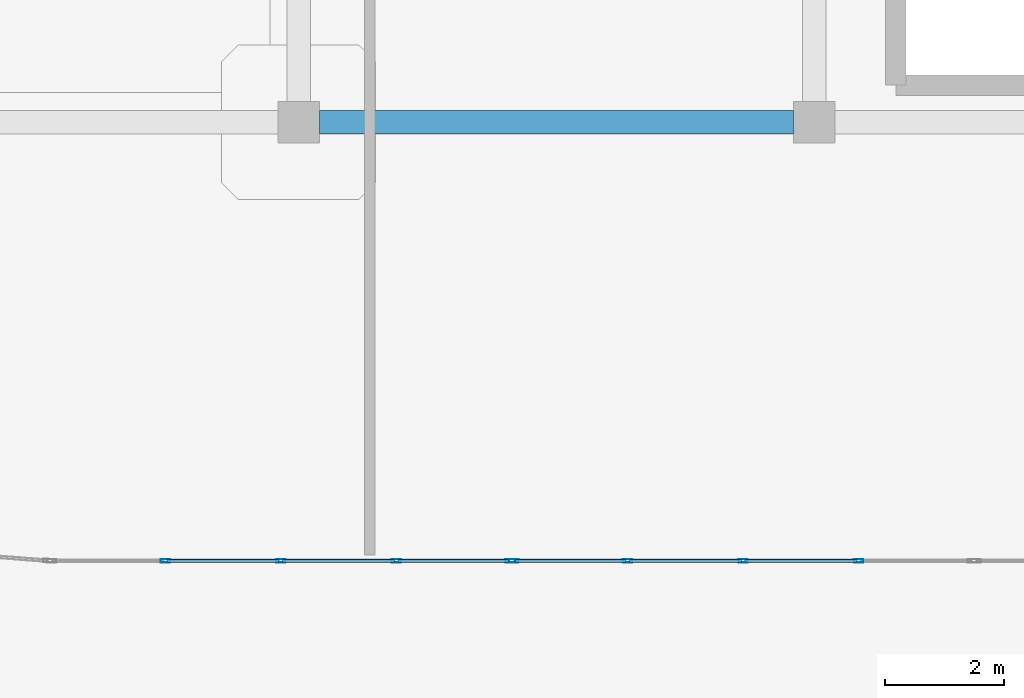
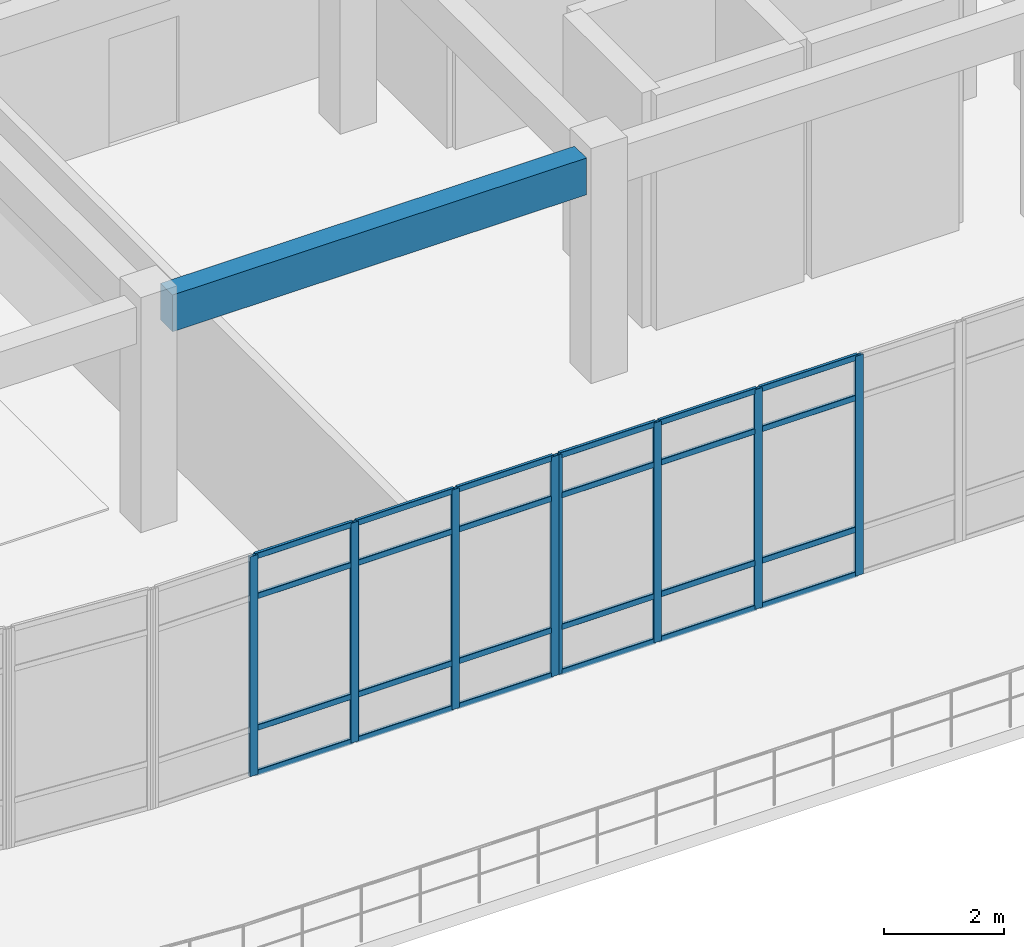
# One storey, part 11 of 64: 32 members, 1 beam, 2 elements without a shape of their own.
"""IFC4 building model written with IfcOpenShell, lengths in metres."""

from ifc_helpers import new_model, si_unit, derived_unit, direction, frame, origin, origin_2d, place, context, subcontext, project, spatial, rectangle, hollow_rectangle, extrude, material, layer, layer_set, material_profile, profile_set, type_object, element, aggregate, save


model = new_model("IFC4")

# Units and contexts
model_context = context("Model", 3, precision=1e-05, world=origin(), true_north=direction((0.0, 1.0)))
body_context = subcontext(model_context, "Body", "Model", "MODEL_VIEW")
ifc_project = project(units=[si_unit("LENGTHUNIT", "METRE"), si_unit("AREAUNIT", "SQUARE_METRE"), si_unit("VOLUMEUNIT", "CUBIC_METRE"), si_unit("PLANEANGLEUNIT", "RADIAN"), si_unit("MASSUNIT", "GRAM", prefix="KILO"), derived_unit("THERMALTRANSMITTANCEUNIT", [(si_unit("MASSUNIT", "GRAM", prefix="KILO"), 1), (si_unit("TIMEUNIT", "SECOND"), -3), (si_unit("THERMODYNAMICTEMPERATUREUNIT", "KELVIN"), -1)])], contexts=[model_context])

# Site, building, storey
site_placement = place(None, origin())
site = spatial("IfcSite", under=ifc_project, at=site_placement, CompositionType="ELEMENT")
building_placement = place(site_placement, origin())
building = spatial("IfcBuilding", under=site, at=building_placement, Name="Qinzheling Arcade Emporium", CompositionType="ELEMENT")
storey_placement = place(building_placement, frame((0.0, 0.0, 31.5)))
storey = spatial("IfcBuildingStorey", under=building, at=storey_placement, Name="L07", CompositionType="ELEMENT", Elevation=31.5)

# Curtain wall, members
ifc_material_1 = material(Name="Anodised aluminium and solar-control double glazing", Category="aluminium")
ifc_layer = layer(ifc_material_1, 0.159912109375, Name="Anodised aluminium and solar-control double glazing", Category="aluminium")
ifc_layer_set = layer_set([ifc_layer], Name="Anodised aluminium and solar-control double glazing")
curtain_wall_type = type_object("IfcCurtainWallType", Name="Arcade Portal Glazed Curtain Wall", PredefinedType="NOTDEFINED", material=ifc_layer_set)
curtain_wall_1_placement = place(storey_placement, origin())
curtain_wall_1 = element("IfcCurtainWall", 1, at=curtain_wall_1_placement, inside=storey, type_object=curtain_wall_type, Name="Curtain Wall CW-L07-399", PredefinedType="NOTDEFINED")
ifc_material_2 = material(Name="Anodised aluminium 6063-T6", Category="aluminium")
ifc_material_profile_1 = material_profile(ifc_material_2, hollow_rectangle(XDim=0.06005859375, YDim=0.159912109375, WallThickness=0.00390625, InnerFilletRadius=0.00390625, OuterFilletRadius=0.008056640625, at=origin_2d()), Name="RHS 160x60x4", Category="aluminium")
ifc_profile_set_1 = profile_set([ifc_material_profile_1], Name="Anodised aluminium 6063-T6")
member_type_1 = type_object("IfcMemberType", Name="Curtain Wall Mullion RHS160x60", PredefinedType="MULLION", material=ifc_profile_set_1)
member_1_placement = place(storey_placement, frame((44.2490234375, 17.800048828125, 0.0), z_axis=(0.0, 0.0, 1.0), x_axis=(0.0, -1.0, 0.0)))
member_1 = element("IfcMember", 2, at=member_1_placement, type_object=member_type_1, Name="CW05 mullion 2", PredefinedType="MULLION", context=body_context, shape_type="SweptSolid", body=[
    extrude(hollow_rectangle(XDim=0.06005859375, YDim=0.159912109375, WallThickness=0.00390625, InnerFilletRadius=0.00390625, OuterFilletRadius=0.008056640625, at=origin_2d()), origin(), (0.0, 0.0, 1.0), 4.489990234375),
])
member_2_placement = place(storey_placement, frame((42.300048828125, 17.800048828125, 0.0), z_axis=(0.0, 0.0, 1.0), x_axis=(0.0, -1.0, 0.0)))
member_2 = element("IfcMember", 3, at=member_2_placement, type_object=member_type_1, Name="CW05 mullion 3", PredefinedType="MULLION", context=body_context, shape_type="SweptSolid", body=[
    extrude(hollow_rectangle(XDim=0.06005859375, YDim=0.159912109375, WallThickness=0.00390625, InnerFilletRadius=0.00390625, OuterFilletRadius=0.008056640625, at=origin_2d()), origin(), (0.0, 0.0, 1.0), 4.489990234375),
])
member_3_placement = place(storey_placement, frame((40.35107421875, 17.800048828125, 0.0), z_axis=(0.0, 0.0, 1.0), x_axis=(0.0, -1.0, 0.0)))
member_3 = element("IfcMember", 4, at=member_3_placement, type_object=member_type_1, Name="CW05 mullion 4", PredefinedType="MULLION", context=body_context, shape_type="SweptSolid", body=[
    extrude(hollow_rectangle(XDim=0.06005859375, YDim=0.159912109375, WallThickness=0.00390625, InnerFilletRadius=0.00390625, OuterFilletRadius=0.008056640625, at=origin_2d()), origin(), (0.0, 0.0, 1.0), 4.489990234375),
])
member_4_placement = place(storey_placement, frame((38.431884765625, 17.800048828125, 0.0), z_axis=(0.0, 0.0, 1.0), x_axis=(0.0, -1.0, 0.0)))
member_4 = element("IfcMember", 5, at=member_4_placement, type_object=member_type_1, Name="CW05 mullion 5", PredefinedType="MULLION", context=body_context, shape_type="SweptSolid", body=[
    extrude(hollow_rectangle(XDim=0.06005859375, YDim=0.159912109375, WallThickness=0.00390625, InnerFilletRadius=0.00390625, OuterFilletRadius=0.008056640625, at=origin_2d()), origin(), (0.0, 0.0, 1.0), 4.489990234375),
])

curtain_wall_2_placement = place(storey_placement, origin())
curtain_wall_2 = element("IfcCurtainWall", 6, at=curtain_wall_2_placement, inside=storey, type_object=curtain_wall_type, Name="Curtain Wall CW-L07-400", PredefinedType="NOTDEFINED")
member_5_placement = place(storey_placement, frame((38.367919921875, 17.800048828125, 0.0), z_axis=(0.0, 0.0, 1.0), x_axis=(0.0, -1.0, 0.0)))
member_5 = element("IfcMember", 7, at=member_5_placement, type_object=member_type_1, Name="CW05 mullion 1", PredefinedType="MULLION", context=body_context, shape_type="SweptSolid", body=[
    extrude(hollow_rectangle(XDim=0.06005859375, YDim=0.159912109375, WallThickness=0.00390625, InnerFilletRadius=0.00390625, OuterFilletRadius=0.008056640625, at=origin_2d()), origin(), (0.0, 0.0, 1.0), 4.489990234375),
])
member_6_placement = place(storey_placement, frame((36.448486328125, 17.800048828125, 0.0), z_axis=(0.0, 0.0, 1.0), x_axis=(0.0, -1.0, 0.0)))
member_6 = element("IfcMember", 8, at=member_6_placement, type_object=member_type_1, Name="CW05 mullion 2", PredefinedType="MULLION", context=body_context, shape_type="SweptSolid", body=[
    extrude(hollow_rectangle(XDim=0.06005859375, YDim=0.159912109375, WallThickness=0.00390625, InnerFilletRadius=0.00390625, OuterFilletRadius=0.008056640625, at=origin_2d()), origin(), (0.0, 0.0, 1.0), 4.489990234375),
])
member_7_placement = place(storey_placement, frame((34.4990234375, 17.800048828125, 0.0), z_axis=(0.0, 0.0, 1.0), x_axis=(0.0, -1.0, 0.0)))
member_7 = element("IfcMember", 9, at=member_7_placement, type_object=member_type_1, Name="CW05 mullion 3", PredefinedType="MULLION", context=body_context, shape_type="SweptSolid", body=[
    extrude(hollow_rectangle(XDim=0.06005859375, YDim=0.159912109375, WallThickness=0.00390625, InnerFilletRadius=0.00390625, OuterFilletRadius=0.008056640625, at=origin_2d()), origin(), (0.0, 0.0, 1.0), 4.489990234375),
])
member_8_placement = place(storey_placement, frame((32.549560546875, 17.800048828125, 0.0), z_axis=(0.0, 0.0, 1.0), x_axis=(0.0, -1.0, 0.0)))
member_8 = element("IfcMember", 10, at=member_8_placement, type_object=member_type_1, Name="CW05 mullion 4", PredefinedType="MULLION", context=body_context, shape_type="SweptSolid", body=[
    extrude(hollow_rectangle(XDim=0.06005859375, YDim=0.159912109375, WallThickness=0.00390625, InnerFilletRadius=0.00390625, OuterFilletRadius=0.008056640625, at=origin_2d()), origin(), (0.0, 0.0, 1.0), 4.489990234375),
])

# Member
ifc_material_profile_2 = material_profile(ifc_material_2, hollow_rectangle(XDim=0.06005859375, YDim=0.1201171875, WallThickness=0.00390625, InnerFilletRadius=0.00390625, OuterFilletRadius=0.008056640625, at=origin_2d()), Name="RHS 120x60x4", Category="aluminium")
ifc_profile_set_2 = profile_set([ifc_material_profile_2], Name="Anodised aluminium 6063-T6")
member_type_2 = type_object("IfcMemberType", Name="Curtain Wall Transom RHS120x60", PredefinedType="USERDEFINED", material=ifc_profile_set_2)
member_9_placement = place(storey_placement, frame((44.218994140625, 17.800048828125, 0.030029296875), z_axis=(-1.0, 0.0, 0.0), x_axis=(0.0, -1.0, 0.0)))
member_9 = element("IfcMember", 11, at=member_9_placement, type_object=member_type_2, Name="CW05 transom 2.1", ObjectType="TRANSOM", PredefinedType="USERDEFINED", context=body_context, shape_type="SweptSolid", body=[
    extrude(hollow_rectangle(XDim=0.06005859375, YDim=0.1201171875, WallThickness=0.00390625, InnerFilletRadius=0.00390625, OuterFilletRadius=0.008056640625, at=origin_2d()), origin(), (0.0, 0.0, 1.0), 1.888916015625),
])

member_10_placement = place(storey_placement, frame((44.218994140625, 17.800048828125, 0.949951171875), z_axis=(-1.0, 0.0, 0.0), x_axis=(0.0, -1.0, 0.0)))
member_10 = element("IfcMember", 12, at=member_10_placement, type_object=member_type_2, Name="CW05 transom 2.2", ObjectType="TRANSOM", PredefinedType="USERDEFINED", context=body_context, shape_type="SweptSolid", body=[
    extrude(hollow_rectangle(XDim=0.06005859375, YDim=0.1201171875, WallThickness=0.00390625, InnerFilletRadius=0.00390625, OuterFilletRadius=0.008056640625, at=origin_2d()), origin(), (0.0, 0.0, 1.0), 1.888916015625),
])

member_11_placement = place(storey_placement, frame((44.218994140625, 17.800048828125, 3.639892578125), z_axis=(-1.0, 0.0, 0.0), x_axis=(0.0, -1.0, 0.0)))
member_11 = element("IfcMember", 13, at=member_11_placement, type_object=member_type_2, Name="CW05 transom 2.3", ObjectType="TRANSOM", PredefinedType="USERDEFINED", context=body_context, shape_type="SweptSolid", body=[
    extrude(hollow_rectangle(XDim=0.06005859375, YDim=0.1201171875, WallThickness=0.00390625, InnerFilletRadius=0.00390625, OuterFilletRadius=0.008056640625, at=origin_2d()), origin(), (0.0, 0.0, 1.0), 1.888916015625),
])

member_12_placement = place(storey_placement, frame((44.218994140625, 17.800048828125, 4.4599609375), z_axis=(-1.0, 0.0, 0.0), x_axis=(0.0, -1.0, 0.0)))
member_12 = element("IfcMember", 14, at=member_12_placement, type_object=member_type_2, Name="CW05 transom 2.4", ObjectType="TRANSOM", PredefinedType="USERDEFINED", context=body_context, shape_type="SweptSolid", body=[
    extrude(hollow_rectangle(XDim=0.06005859375, YDim=0.1201171875, WallThickness=0.00390625, InnerFilletRadius=0.00390625, OuterFilletRadius=0.008056640625, at=origin_2d()), origin(), (0.0, 0.0, 1.0), 1.888916015625),
])

member_13_placement = place(storey_placement, frame((42.27001953125, 17.800048828125, 0.030029296875), z_axis=(-1.0, 0.0, 0.0), x_axis=(0.0, -1.0, 0.0)))
member_13 = element("IfcMember", 15, at=member_13_placement, type_object=member_type_2, Name="CW05 transom 3.1", ObjectType="TRANSOM", PredefinedType="USERDEFINED", context=body_context, shape_type="SweptSolid", body=[
    extrude(hollow_rectangle(XDim=0.06005859375, YDim=0.1201171875, WallThickness=0.00390625, InnerFilletRadius=0.00390625, OuterFilletRadius=0.008056640625, at=origin_2d()), origin(), (0.0, 0.0, 1.0), 1.888916015625),
])

member_14_placement = place(storey_placement, frame((42.27001953125, 17.800048828125, 0.949951171875), z_axis=(-1.0, 0.0, 0.0), x_axis=(0.0, -1.0, 0.0)))
member_14 = element("IfcMember", 16, at=member_14_placement, type_object=member_type_2, Name="CW05 transom 3.2", ObjectType="TRANSOM", PredefinedType="USERDEFINED", context=body_context, shape_type="SweptSolid", body=[
    extrude(hollow_rectangle(XDim=0.06005859375, YDim=0.1201171875, WallThickness=0.00390625, InnerFilletRadius=0.00390625, OuterFilletRadius=0.008056640625, at=origin_2d()), origin(), (0.0, 0.0, 1.0), 1.888916015625),
])

member_15_placement = place(storey_placement, frame((42.27001953125, 17.800048828125, 3.639892578125), z_axis=(-1.0, 0.0, 0.0), x_axis=(0.0, -1.0, 0.0)))
member_15 = element("IfcMember", 17, at=member_15_placement, type_object=member_type_2, Name="CW05 transom 3.3", ObjectType="TRANSOM", PredefinedType="USERDEFINED", context=body_context, shape_type="SweptSolid", body=[
    extrude(hollow_rectangle(XDim=0.06005859375, YDim=0.1201171875, WallThickness=0.00390625, InnerFilletRadius=0.00390625, OuterFilletRadius=0.008056640625, at=origin_2d()), origin(), (0.0, 0.0, 1.0), 1.888916015625),
])

member_16_placement = place(storey_placement, frame((42.27001953125, 17.800048828125, 4.4599609375), z_axis=(-1.0, 0.0, 0.0), x_axis=(0.0, -1.0, 0.0)))
member_16 = element("IfcMember", 18, at=member_16_placement, type_object=member_type_2, Name="CW05 transom 3.4", ObjectType="TRANSOM", PredefinedType="USERDEFINED", context=body_context, shape_type="SweptSolid", body=[
    extrude(hollow_rectangle(XDim=0.06005859375, YDim=0.1201171875, WallThickness=0.00390625, InnerFilletRadius=0.00390625, OuterFilletRadius=0.008056640625, at=origin_2d()), origin(), (0.0, 0.0, 1.0), 1.888916015625),
])

member_17_placement = place(storey_placement, frame((40.321044921875, 17.800048828125, 0.030029296875), z_axis=(-1.0, 0.0, 0.0), x_axis=(0.0, -1.0, 0.0)))
member_17 = element("IfcMember", 19, at=member_17_placement, type_object=member_type_2, Name="CW05 transom 4.1", ObjectType="TRANSOM", PredefinedType="USERDEFINED", context=body_context, shape_type="SweptSolid", body=[
    extrude(hollow_rectangle(XDim=0.06005859375, YDim=0.1201171875, WallThickness=0.00390625, InnerFilletRadius=0.00390625, OuterFilletRadius=0.008056640625, at=origin_2d()), origin(), (0.0, 0.0, 1.0), 1.859130859375),
])

member_18_placement = place(storey_placement, frame((40.321044921875, 17.800048828125, 0.949951171875), z_axis=(-1.0, 0.0, 0.0), x_axis=(0.0, -1.0, 0.0)))
member_18 = element("IfcMember", 20, at=member_18_placement, type_object=member_type_2, Name="CW05 transom 4.2", ObjectType="TRANSOM", PredefinedType="USERDEFINED", context=body_context, shape_type="SweptSolid", body=[
    extrude(hollow_rectangle(XDim=0.06005859375, YDim=0.1201171875, WallThickness=0.00390625, InnerFilletRadius=0.00390625, OuterFilletRadius=0.008056640625, at=origin_2d()), origin(), (0.0, 0.0, 1.0), 1.859130859375),
])

member_19_placement = place(storey_placement, frame((40.321044921875, 17.800048828125, 3.639892578125), z_axis=(-1.0, 0.0, 0.0), x_axis=(0.0, -1.0, 0.0)))
member_19 = element("IfcMember", 21, at=member_19_placement, type_object=member_type_2, Name="CW05 transom 4.3", ObjectType="TRANSOM", PredefinedType="USERDEFINED", context=body_context, shape_type="SweptSolid", body=[
    extrude(hollow_rectangle(XDim=0.06005859375, YDim=0.1201171875, WallThickness=0.00390625, InnerFilletRadius=0.00390625, OuterFilletRadius=0.008056640625, at=origin_2d()), origin(), (0.0, 0.0, 1.0), 1.859130859375),
])

member_20_placement = place(storey_placement, frame((40.321044921875, 17.800048828125, 4.4599609375), z_axis=(-1.0, 0.0, 0.0), x_axis=(0.0, -1.0, 0.0)))
member_20 = element("IfcMember", 22, at=member_20_placement, type_object=member_type_2, Name="CW05 transom 4.4", ObjectType="TRANSOM", PredefinedType="USERDEFINED", context=body_context, shape_type="SweptSolid", body=[
    extrude(hollow_rectangle(XDim=0.06005859375, YDim=0.1201171875, WallThickness=0.00390625, InnerFilletRadius=0.00390625, OuterFilletRadius=0.008056640625, at=origin_2d()), origin(), (0.0, 0.0, 1.0), 1.859130859375),
])

aggregate(curtain_wall_1, [member_1, member_2, member_3, member_4, member_9, member_10, member_11, member_12, member_13, member_14, member_15, member_16, member_17, member_18, member_19, member_20])

member_21_placement = place(storey_placement, frame((38.337890625, 17.800048828125, 0.030029296875), z_axis=(-1.0, 0.0, 0.0), x_axis=(0.0, -1.0, 0.0)))
member_21 = element("IfcMember", 23, at=member_21_placement, type_object=member_type_2, Name="CW05 transom 1.1", ObjectType="TRANSOM", PredefinedType="USERDEFINED", context=body_context, shape_type="SweptSolid", body=[
    extrude(hollow_rectangle(XDim=0.06005859375, YDim=0.1201171875, WallThickness=0.00390625, InnerFilletRadius=0.00390625, OuterFilletRadius=0.008056640625, at=origin_2d()), origin(), (0.0, 0.0, 1.0), 1.859375),
])

member_22_placement = place(storey_placement, frame((38.337890625, 17.800048828125, 0.949951171875), z_axis=(-1.0, 0.0, 0.0), x_axis=(0.0, -1.0, 0.0)))
member_22 = element("IfcMember", 24, at=member_22_placement, type_object=member_type_2, Name="CW05 transom 1.2", ObjectType="TRANSOM", PredefinedType="USERDEFINED", context=body_context, shape_type="SweptSolid", body=[
    extrude(hollow_rectangle(XDim=0.06005859375, YDim=0.1201171875, WallThickness=0.00390625, InnerFilletRadius=0.00390625, OuterFilletRadius=0.008056640625, at=origin_2d()), origin(), (0.0, 0.0, 1.0), 1.859375),
])

member_23_placement = place(storey_placement, frame((38.337890625, 17.800048828125, 3.639892578125), z_axis=(-1.0, 0.0, 0.0), x_axis=(0.0, -1.0, 0.0)))
member_23 = element("IfcMember", 25, at=member_23_placement, type_object=member_type_2, Name="CW05 transom 1.3", ObjectType="TRANSOM", PredefinedType="USERDEFINED", context=body_context, shape_type="SweptSolid", body=[
    extrude(hollow_rectangle(XDim=0.06005859375, YDim=0.1201171875, WallThickness=0.00390625, InnerFilletRadius=0.00390625, OuterFilletRadius=0.008056640625, at=origin_2d()), origin(), (0.0, 0.0, 1.0), 1.859375),
])

member_24_placement = place(storey_placement, frame((38.337890625, 17.800048828125, 4.4599609375), z_axis=(-1.0, 0.0, 0.0), x_axis=(0.0, -1.0, 0.0)))
member_24 = element("IfcMember", 26, at=member_24_placement, type_object=member_type_2, Name="CW05 transom 1.4", ObjectType="TRANSOM", PredefinedType="USERDEFINED", context=body_context, shape_type="SweptSolid", body=[
    extrude(hollow_rectangle(XDim=0.06005859375, YDim=0.1201171875, WallThickness=0.00390625, InnerFilletRadius=0.00390625, OuterFilletRadius=0.008056640625, at=origin_2d()), origin(), (0.0, 0.0, 1.0), 1.859375),
])

member_25_placement = place(storey_placement, frame((36.41845703125, 17.800048828125, 0.030029296875), z_axis=(-1.0, 0.0, 0.0), x_axis=(0.0, -1.0, 0.0)))
member_25 = element("IfcMember", 27, at=member_25_placement, type_object=member_type_2, Name="CW05 transom 2.1", ObjectType="TRANSOM", PredefinedType="USERDEFINED", context=body_context, shape_type="SweptSolid", body=[
    extrude(hollow_rectangle(XDim=0.06005859375, YDim=0.1201171875, WallThickness=0.00390625, InnerFilletRadius=0.00390625, OuterFilletRadius=0.008056640625, at=origin_2d()), origin(), (0.0, 0.0, 1.0), 1.889404296875),
])

member_26_placement = place(storey_placement, frame((36.41845703125, 17.800048828125, 0.949951171875), z_axis=(-1.0, 0.0, 0.0), x_axis=(0.0, -1.0, 0.0)))
member_26 = element("IfcMember", 28, at=member_26_placement, type_object=member_type_2, Name="CW05 transom 2.2", ObjectType="TRANSOM", PredefinedType="USERDEFINED", context=body_context, shape_type="SweptSolid", body=[
    extrude(hollow_rectangle(XDim=0.06005859375, YDim=0.1201171875, WallThickness=0.00390625, InnerFilletRadius=0.00390625, OuterFilletRadius=0.008056640625, at=origin_2d()), origin(), (0.0, 0.0, 1.0), 1.889404296875),
])

member_27_placement = place(storey_placement, frame((36.41845703125, 17.800048828125, 3.639892578125), z_axis=(-1.0, 0.0, 0.0), x_axis=(0.0, -1.0, 0.0)))
member_27 = element("IfcMember", 29, at=member_27_placement, type_object=member_type_2, Name="CW05 transom 2.3", ObjectType="TRANSOM", PredefinedType="USERDEFINED", context=body_context, shape_type="SweptSolid", body=[
    extrude(hollow_rectangle(XDim=0.06005859375, YDim=0.1201171875, WallThickness=0.00390625, InnerFilletRadius=0.00390625, OuterFilletRadius=0.008056640625, at=origin_2d()), origin(), (0.0, 0.0, 1.0), 1.889404296875),
])

member_28_placement = place(storey_placement, frame((36.41845703125, 17.800048828125, 4.4599609375), z_axis=(-1.0, 0.0, 0.0), x_axis=(0.0, -1.0, 0.0)))
member_28 = element("IfcMember", 30, at=member_28_placement, type_object=member_type_2, Name="CW05 transom 2.4", ObjectType="TRANSOM", PredefinedType="USERDEFINED", context=body_context, shape_type="SweptSolid", body=[
    extrude(hollow_rectangle(XDim=0.06005859375, YDim=0.1201171875, WallThickness=0.00390625, InnerFilletRadius=0.00390625, OuterFilletRadius=0.008056640625, at=origin_2d()), origin(), (0.0, 0.0, 1.0), 1.889404296875),
])

member_29_placement = place(storey_placement, frame((34.468994140625, 17.800048828125, 0.030029296875), z_axis=(-1.0, 0.0, 0.0), x_axis=(0.0, -1.0, 0.0)))
member_29 = element("IfcMember", 31, at=member_29_placement, type_object=member_type_2, Name="CW05 transom 3.1", ObjectType="TRANSOM", PredefinedType="USERDEFINED", context=body_context, shape_type="SweptSolid", body=[
    extrude(hollow_rectangle(XDim=0.06005859375, YDim=0.1201171875, WallThickness=0.00390625, InnerFilletRadius=0.00390625, OuterFilletRadius=0.008056640625, at=origin_2d()), origin(), (0.0, 0.0, 1.0), 1.889404296875),
])

member_30_placement = place(storey_placement, frame((34.468994140625, 17.800048828125, 0.949951171875), z_axis=(-1.0, 0.0, 0.0), x_axis=(0.0, -1.0, 0.0)))
member_30 = element("IfcMember", 32, at=member_30_placement, type_object=member_type_2, Name="CW05 transom 3.2", ObjectType="TRANSOM", PredefinedType="USERDEFINED", context=body_context, shape_type="SweptSolid", body=[
    extrude(hollow_rectangle(XDim=0.06005859375, YDim=0.1201171875, WallThickness=0.00390625, InnerFilletRadius=0.00390625, OuterFilletRadius=0.008056640625, at=origin_2d()), origin(), (0.0, 0.0, 1.0), 1.889404296875),
])

member_31_placement = place(storey_placement, frame((34.468994140625, 17.800048828125, 3.639892578125), z_axis=(-1.0, 0.0, 0.0), x_axis=(0.0, -1.0, 0.0)))
member_31 = element("IfcMember", 33, at=member_31_placement, type_object=member_type_2, Name="CW05 transom 3.3", ObjectType="TRANSOM", PredefinedType="USERDEFINED", context=body_context, shape_type="SweptSolid", body=[
    extrude(hollow_rectangle(XDim=0.06005859375, YDim=0.1201171875, WallThickness=0.00390625, InnerFilletRadius=0.00390625, OuterFilletRadius=0.008056640625, at=origin_2d()), origin(), (0.0, 0.0, 1.0), 1.889404296875),
])

member_32_placement = place(storey_placement, frame((34.468994140625, 17.800048828125, 4.4599609375), z_axis=(-1.0, 0.0, 0.0), x_axis=(0.0, -1.0, 0.0)))
member_32 = element("IfcMember", 34, at=member_32_placement, type_object=member_type_2, Name="CW05 transom 3.4", ObjectType="TRANSOM", PredefinedType="USERDEFINED", context=body_context, shape_type="SweptSolid", body=[
    extrude(hollow_rectangle(XDim=0.06005859375, YDim=0.1201171875, WallThickness=0.00390625, InnerFilletRadius=0.00390625, OuterFilletRadius=0.008056640625, at=origin_2d()), origin(), (0.0, 0.0, 1.0), 1.889404296875),
])

aggregate(curtain_wall_2, [member_5, member_6, member_7, member_8, member_21, member_22, member_23, member_24, member_25, member_26, member_27, member_28, member_29, member_30, member_31, member_32])

# Beam
ifc_material_3 = material(Name="Concrete C40", Category="concrete")
ifc_material_profile_3 = material_profile(ifc_material_3, rectangle(XDim=0.39990234375, YDim=0.75, at=origin_2d()), Name="RC 400x750", Category="concrete")
ifc_profile_set_3 = profile_set([ifc_material_profile_3], Name="Concrete C40")
beam_type = type_object("IfcBeamType", Name="RC Interior Tie Beam 400x750 C40", PredefinedType="BEAM", material=ifc_profile_set_3)
beam_placement = place(storey_placement, frame((35.14990234375, 25.199951171875, 4.14501953125), z_axis=(1.0, 0.0, 0.0), x_axis=(0.0, 1.0, 0.0)))
element("IfcBeam", 35, at=beam_placement, inside=storey, type_object=beam_type, Name="Beam BM-L07-X-D-5", PredefinedType="BEAM", context=body_context, shape_type="SweptSolid", body=[
    extrude(rectangle(XDim=0.39990234375, YDim=0.75, at=origin_2d()), origin(), (0.0, 0.0, 1.0), 8.0),
])

save(model, "model.ifc")
